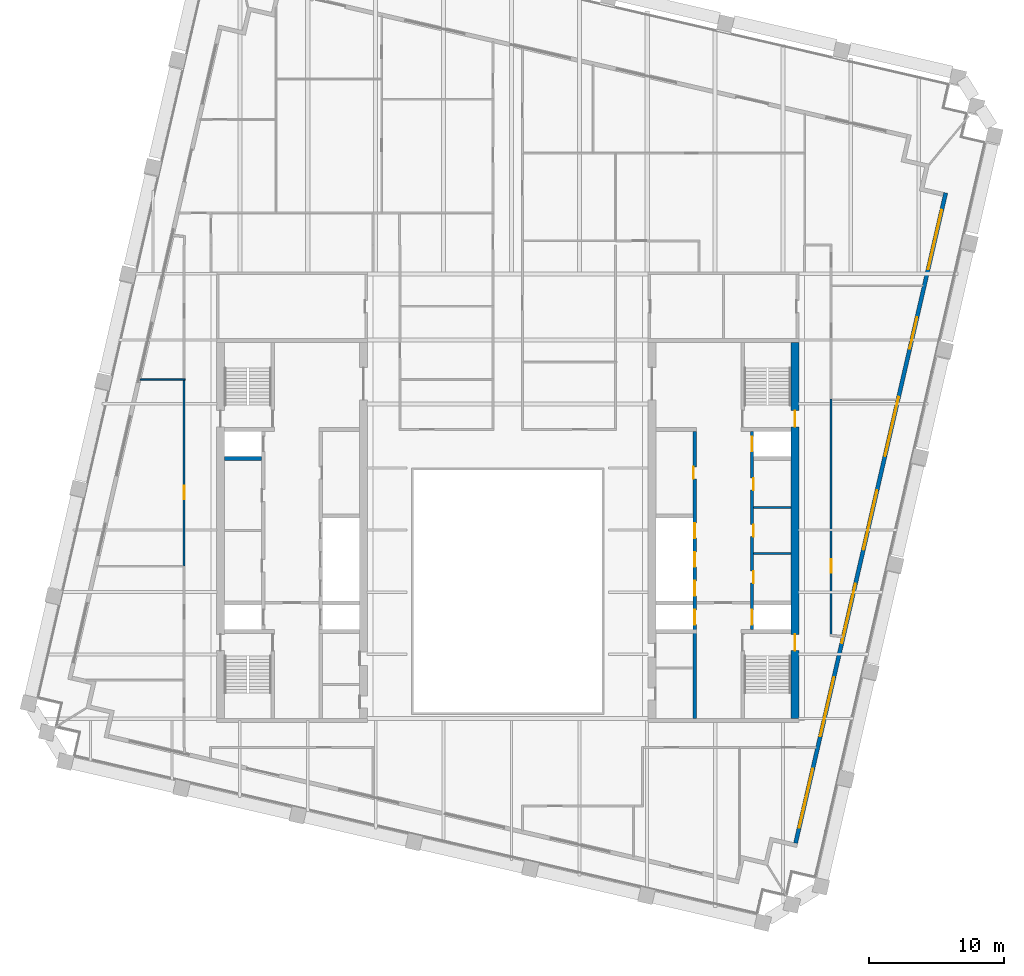
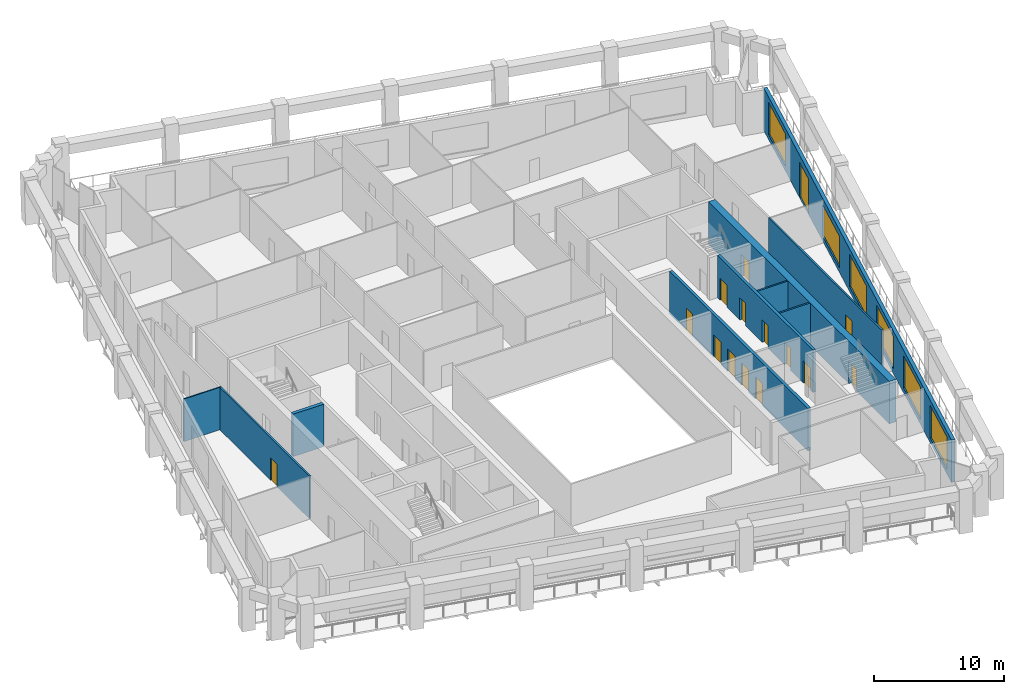
# One storey, part 6 of 10: 15 doors, 10 walls, 6 windows, 21 openings.
"""IFC4 building model written with IfcOpenShell, lengths in metres."""

from ifc_helpers import new_model, si_unit, direction, frame, frame_2d, origin, place, context, subcontext, project, spatial, rectangle, extrude, material, layer, layer_set, type_object, element, fill, save


model = new_model("IFC4")

# Units and contexts
model_context = context("Model", 3, precision=1e-05, world=origin(), true_north=direction((0.0, 1.0)))
body_context = subcontext(model_context, "Body", "Model", "MODEL_VIEW")
ifc_project = project(units=[si_unit("LENGTHUNIT", "METRE"), si_unit("AREAUNIT", "SQUARE_METRE"), si_unit("VOLUMEUNIT", "CUBIC_METRE"), si_unit("PLANEANGLEUNIT", "RADIAN"), si_unit("MASSUNIT", "GRAM", prefix="KILO")], contexts=[model_context])

# Site, building, storey
site_placement = place(None, origin())
site = spatial("IfcSite", under=ifc_project, at=site_placement, CompositionType="ELEMENT")
building_placement = place(site_placement, origin())
building = spatial("IfcBuilding", under=site, at=building_placement, Name="Ogive Exchange Tower", CompositionType="ELEMENT")
storey_placement = place(building_placement, frame((0.0, 0.0, 264.0)))
storey = spatial("IfcBuildingStorey", under=building, at=storey_placement, Name="L57", CompositionType="ELEMENT", Elevation=264.0)

# Walls
ifc_material_1 = material(Name="Gypsum board partition")
ifc_layer_1 = layer(ifc_material_1, 0.14990234375)
ifc_layer_set_1 = layer_set([ifc_layer_1], Name="Core room partition 150 gypsum")
wall_type_1 = type_object("IfcWallType", Name="Core room partition 150 gypsum", PredefinedType="PARTITIONING", material=ifc_layer_set_1)
for number, where, z_axis, x_axis, name in (
    (1, (18.25, 9.800048828125, 0.0), (0.0, 0.0, 1.0), (1.0, 0.0, 0.0), "E row A bay partition 1-1"),
    (2, (18.25, 13.199951171875, 0.0), (0.0, 0.0, 1.0), (1.0, 0.0, 0.0), "E row A bay partition 1-2"),
):
    element("IfcWall", number, at=place(storey_placement, frame(where, z_axis=z_axis, x_axis=x_axis)), inside=storey, type_object=wall_type_1, Name=name, PredefinedType="PARTITIONING", context=body_context, shape_type="SweptSolid", body=[
        extrude(rectangle(XDim=2.75, YDim=0.14990234375, at=frame_2d((1.375, 0.0))), origin(), (0.0, 0.0, 1.0), 4.0),
    ])

# Wall, opening, door
ifc_material_2 = material(Name="Fire partition EI 60 150")
ifc_layer_2 = layer(ifc_material_2, 0.14990234375)
ifc_layer_set_2 = layer_set([ifc_layer_2], Name="Fire partition EI 60 150")
wall_type_2 = type_object("IfcWallType", Name="Fire partition EI 60 150", PredefinedType="PARTITIONING", material=ifc_layer_set_2)
wall_1_placement = place(storey_placement, frame((-24.0, 8.860107421875, 0.0), z_axis=(0.0, 0.0, 1.0), x_axis=(0.0, 1.0, 0.0)))
wall_1 = element("IfcWall", 3, at=wall_1_placement, inside=storey, type_object=wall_type_2, Name="L57-PWL-007", PredefinedType="PARTITIONING", context=body_context, shape_type="SweptSolid", body=[
    extrude(rectangle(XDim=13.809814453125, YDim=0.14990234375, at=frame_2d((6.90478515625, 0.0))), origin(), (0.0, 0.0, 1.0), 4.0),
])
opening_1_placement = place(wall_1_placement, frame((4.9599609375, 0.0, 0.0)))
opening_1 = element("IfcOpeningElement", 4, at=opening_1_placement, cuts=wall_1, Name="Opening L57-I01", PredefinedType="OPENING", context=body_context, shape_type="SweptSolid", body=[
    extrude(rectangle(XDim=1.0, YDim=2.10009765625, at=frame_2d((0.5, 1.050048828125))), frame((0.0, 0.0849609375, 0.0), z_axis=(0.0, -1.0, 0.0), x_axis=(1.0, 0.0, 0.0)), (0.0, 0.0, 1.0), 0.169921875),
])
ifc_material_3 = material(Name="Fire door FD 30S 1000 x 2100")
door_type_1 = type_object("IfcDoorType", Name="Fire door FD 30S 1000 x 2100", OperationType="NOTDEFINED", PredefinedType="DOOR", material=ifc_material_3)
door_1_placement = place(opening_1_placement, origin())
door_1 = element("IfcDoor", 5, at=door_1_placement, inside=storey, type_object=door_type_1, Name="L57-IDR-001", ObjectType="DT3", OperationType="SINGLE_SWING_RIGHT", OverallHeight=2.10009765625, OverallWidth=1.0, PredefinedType="DOOR", context=body_context, shape_type="SweptSolid", body=[
    extrude(rectangle(XDim=1.0, YDim=2.10009765625, at=frame_2d((0.5, 1.050048828125))), frame((0.0, 0.02490234375, 0.0), z_axis=(0.0, -1.0, 0.0), x_axis=(1.0, 0.0, 0.0)), (0.0, 0.0, 1.0), 0.050048828125),
])
fill(opening_1, door_1)

wall_2_placement = place(storey_placement, frame((24.0, 21.260009765625, 0.0), z_axis=(0.0, 0.0, 1.0), x_axis=(0.0, -1.0, 0.0)))
wall_2 = element("IfcWall", 6, at=wall_2_placement, inside=storey, type_object=wall_type_2, Name="L57-PWL-074", PredefinedType="PARTITIONING", context=body_context, shape_type="SweptSolid", body=[
    extrude(rectangle(XDim=17.455078125, YDim=0.14990234375, at=frame_2d((8.7275390625, 0.0))), origin(), (0.0, 0.0, 1.0), 4.0),
])
opening_2_placement = place(wall_2_placement, frame((11.8798828125, 0.0, 0.0)))
opening_2 = element("IfcOpeningElement", 7, at=opening_2_placement, cuts=wall_2, Name="Opening L57-I22", PredefinedType="OPENING", context=body_context, shape_type="SweptSolid", body=[
    extrude(rectangle(XDim=1.0, YDim=2.10009765625, at=frame_2d((0.5, 1.050048828125))), frame((0.0, 0.0849609375, 0.0), z_axis=(0.0, -1.0, 0.0), x_axis=(1.0, 0.0, 0.0)), (0.0, 0.0, 1.0), 0.169921875),
])
door_2_placement = place(opening_2_placement, origin())
door_2 = element("IfcDoor", 8, at=door_2_placement, inside=storey, type_object=door_type_1, Name="L57-IDR-022", ObjectType="DT3", OperationType="SINGLE_SWING_RIGHT", OverallHeight=2.10009765625, OverallWidth=1.0, PredefinedType="DOOR", context=body_context, shape_type="SweptSolid", body=[
    extrude(rectangle(XDim=1.0, YDim=2.10009765625, at=frame_2d((0.5, 1.050048828125))), frame((0.0, 0.02490234375, 0.0), z_axis=(0.0, -1.0, 0.0), x_axis=(1.0, 0.0, 0.0)), (0.0, 0.0, 1.0), 0.050048828125),
])
fill(opening_2, door_2)

# Wall, openings, door, windows
ifc_material_4 = material(Name="Precast concrete C40/50", Category="concrete")
ifc_layer_3 = layer(ifc_material_4, 0.300048828125)
ifc_layer_set_3 = layer_set([ifc_layer_3], Name="Limestone-faced wall 300")
wall_type_3 = type_object("IfcWallType", Name="Limestone-faced wall 300", PredefinedType="STANDARD", material=ifc_layer_set_3)
wall_3_placement = place(storey_placement, frame((21.35888671875, -11.67822265625, 0.0), z_axis=(0.0, 0.0, 1.0), x_axis=(0.224949198343, 0.974370493275, 0.0)))
wall_3 = element("IfcWall", 9, at=wall_3_placement, inside=storey, type_object=wall_type_3, Name="External wall E2", PredefinedType="STANDARD", context=body_context, shape_type="SweptSolid", body=[
    extrude(rectangle(XDim=49.5, YDim=0.300048828125, at=frame_2d((24.75, 0.0))), origin(), (0.0, 0.0, 1.0), 4.0),
])
opening_3_placement = place(wall_3_placement, frame((1.156982421875, 0.0, 0.449951171875)))
opening_3 = element("IfcOpeningElement", 10, at=opening_3_placement, cuts=wall_3, Name="Opening W1", PredefinedType="OPENING", context=body_context, shape_type="SweptSolid", body=[
    extrude(rectangle(XDim=4.5, YDim=3.050048828125, at=frame_2d((2.25, 1.52490234375))), frame((0.0, 0.159912109375, 0.0), z_axis=(0.0, -1.0, 0.0), x_axis=(1.0, 0.0, 0.0)), (0.0, 0.0, 1.0), 0.320068359375),
])
opening_4_placement = place(wall_3_placement, frame((8.121337890625, 0.0, 0.449951171875)))
opening_4 = element("IfcOpeningElement", 11, at=opening_4_placement, cuts=wall_3, Name="Opening W1", PredefinedType="OPENING", context=body_context, shape_type="SweptSolid", body=[
    extrude(rectangle(XDim=4.5, YDim=3.050048828125, at=frame_2d((2.25, 1.52490234375))), frame((0.0, 0.159912109375, 0.0), z_axis=(0.0, -1.0, 0.0), x_axis=(1.0, 0.0, 0.0)), (0.0, 0.0, 1.0), 0.320068359375),
])
opening_5_placement = place(wall_3_placement, frame((15.235595703125, 0.0, 0.449951171875)))
opening_5 = element("IfcOpeningElement", 12, at=opening_5_placement, cuts=wall_3, Name="Opening W1", PredefinedType="OPENING", context=body_context, shape_type="SweptSolid", body=[
    extrude(rectangle(XDim=4.5, YDim=3.050048828125, at=frame_2d((2.25, 1.52490234375))), frame((0.0, 0.159912109375, 0.0), z_axis=(0.0, -1.0, 0.0), x_axis=(1.0, 0.0, 0.0)), (0.0, 0.0, 1.0), 0.320068359375),
])
opening_6_placement = place(wall_3_placement, frame((22.35009765625, 0.0, 0.449951171875)))
opening_6 = element("IfcOpeningElement", 13, at=opening_6_placement, cuts=wall_3, Name="Opening W1", PredefinedType="OPENING", context=body_context, shape_type="SweptSolid", body=[
    extrude(rectangle(XDim=4.5, YDim=3.050048828125, at=frame_2d((2.25, 1.52490234375))), frame((0.0, 0.159912109375, 0.0), z_axis=(0.0, -1.0, 0.0), x_axis=(1.0, 0.0, 0.0)), (0.0, 0.0, 1.0), 0.320068359375),
])
opening_7_placement = place(wall_3_placement, frame((29.464111328125, 0.0, 0.449951171875)))
opening_7 = element("IfcOpeningElement", 14, at=opening_7_placement, cuts=wall_3, Name="Opening W1B", PredefinedType="OPENING", context=body_context, shape_type="SweptSolid", body=[
    extrude(rectangle(XDim=4.5, YDim=2.949951171875, at=frame_2d((2.25, 1.47509765625))), frame((0.0, 0.159912109375, 0.0), z_axis=(0.0, -1.0, 0.0), x_axis=(1.0, 0.0, 0.0)), (0.0, 0.0, 1.0), 0.320068359375),
])
opening_8_placement = place(wall_3_placement, frame((37.62841796875, 0.0, 0.0)))
opening_8 = element("IfcOpeningElement", 15, at=opening_8_placement, cuts=wall_3, Name="Opening D1C", PredefinedType="OPENING", context=body_context, shape_type="SweptSolid", body=[
    extrude(rectangle(XDim=2.39990234375, YDim=3.324951171875, at=frame_2d((1.199951171875, 1.66259765625))), frame((0.0, 0.159912109375, 0.0), z_axis=(0.0, -1.0, 0.0), x_axis=(1.0, 0.0, 0.0)), (0.0, 0.0, 1.0), 0.320068359375),
])
opening_9_placement = place(wall_3_placement, frame((43.69287109375, 0.0, 0.449951171875)))
opening_9 = element("IfcOpeningElement", 16, at=opening_9_placement, cuts=wall_3, Name="Opening W1", PredefinedType="OPENING", context=body_context, shape_type="SweptSolid", body=[
    extrude(rectangle(XDim=4.5, YDim=3.050048828125, at=frame_2d((2.25, 1.52490234375))), frame((0.0, 0.159912109375, 0.0), z_axis=(0.0, -1.0, 0.0), x_axis=(1.0, 0.0, 0.0)), (0.0, 0.0, 1.0), 0.320068359375),
])
ifc_material_5 = material(Name="Clear glass in bronze frame", Category="glass")
door_type_2 = type_object("IfcDoorType", Name="Sliding loggia door 2400 x 3325", OperationType="DOUBLE_DOOR_SLIDING", PredefinedType="DOOR", material=ifc_material_5)
door_3_placement = place(opening_8_placement, origin())
door_3 = element("IfcDoor", 17, at=door_3_placement, inside=storey, type_object=door_type_2, Name="Loggia door E05", OperationType="DOUBLE_DOOR_SLIDING", OverallHeight=3.324951171875, OverallWidth=2.39990234375, PredefinedType="DOOR", context=body_context, shape_type="SweptSolid", body=[
    extrude(rectangle(XDim=2.39990234375, YDim=3.324951171875, at=frame_2d((1.199951171875, 1.66259765625))), frame((0.0, 0.02490234375, 0.0), z_axis=(0.0, -1.0, 0.0), x_axis=(1.0, 0.0, 0.0)), (0.0, 0.0, 1.0), 0.050048828125),
])
fill(opening_8, door_3)
window_type_1 = type_object("IfcWindowType", Name="Twin lancet window 4500 x 2950", PartitioningType="DOUBLE_PANEL_VERTICAL", PredefinedType="WINDOW", material=ifc_material_5)
window_1_placement = place(opening_7_placement, origin())
window_1 = element("IfcWindow", 18, at=window_1_placement, inside=storey, type_object=window_type_1, Name="Window E04", OverallHeight=2.949951171875, OverallWidth=4.5, PartitioningType="DOUBLE_PANEL_VERTICAL", PredefinedType="WINDOW", context=body_context, shape_type="SweptSolid", body=[
    extrude(rectangle(XDim=4.5, YDim=2.949951171875, at=frame_2d((2.25, 1.47509765625))), frame((0.0, 0.030029296875, 0.0), z_axis=(0.0, -1.0, 0.0), x_axis=(1.0, 0.0, 0.0)), (0.0, 0.0, 1.0), 0.06005859375),
])
fill(opening_7, window_1)
window_type_2 = type_object("IfcWindowType", Name="Twin lancet window 4500 x 3050", PartitioningType="DOUBLE_PANEL_VERTICAL", PredefinedType="WINDOW", material=ifc_material_5)
window_2_placement = place(opening_3_placement, origin())
window_2 = element("IfcWindow", 19, at=window_2_placement, inside=storey, type_object=window_type_2, Name="Window E00", OverallHeight=3.050048828125, OverallWidth=4.5, PartitioningType="DOUBLE_PANEL_VERTICAL", PredefinedType="WINDOW", context=body_context, shape_type="SweptSolid", body=[
    extrude(rectangle(XDim=4.5, YDim=3.050048828125, at=frame_2d((2.25, 1.52490234375))), frame((0.0, 0.030029296875, 0.0), z_axis=(0.0, -1.0, 0.0), x_axis=(1.0, 0.0, 0.0)), (0.0, 0.0, 1.0), 0.06005859375),
])
fill(opening_3, window_2)
window_3_placement = place(opening_4_placement, origin())
window_3 = element("IfcWindow", 20, at=window_3_placement, inside=storey, type_object=window_type_2, Name="Window E01", OverallHeight=3.050048828125, OverallWidth=4.5, PartitioningType="DOUBLE_PANEL_VERTICAL", PredefinedType="WINDOW", context=body_context, shape_type="SweptSolid", body=[
    extrude(rectangle(XDim=4.5, YDim=3.050048828125, at=frame_2d((2.25, 1.52490234375))), frame((0.0, 0.030029296875, 0.0), z_axis=(0.0, -1.0, 0.0), x_axis=(1.0, 0.0, 0.0)), (0.0, 0.0, 1.0), 0.06005859375),
])
fill(opening_4, window_3)
window_4_placement = place(opening_5_placement, origin())
window_4 = element("IfcWindow", 21, at=window_4_placement, inside=storey, type_object=window_type_2, Name="Window E02", OverallHeight=3.050048828125, OverallWidth=4.5, PartitioningType="DOUBLE_PANEL_VERTICAL", PredefinedType="WINDOW", context=body_context, shape_type="SweptSolid", body=[
    extrude(rectangle(XDim=4.5, YDim=3.050048828125, at=frame_2d((2.25, 1.52490234375))), frame((0.0, 0.030029296875, 0.0), z_axis=(0.0, -1.0, 0.0), x_axis=(1.0, 0.0, 0.0)), (0.0, 0.0, 1.0), 0.06005859375),
])
fill(opening_5, window_4)
window_5_placement = place(opening_6_placement, origin())
window_5 = element("IfcWindow", 22, at=window_5_placement, inside=storey, type_object=window_type_2, Name="Window E03", OverallHeight=3.050048828125, OverallWidth=4.5, PartitioningType="DOUBLE_PANEL_VERTICAL", PredefinedType="WINDOW", context=body_context, shape_type="SweptSolid", body=[
    extrude(rectangle(XDim=4.5, YDim=3.050048828125, at=frame_2d((2.25, 1.52490234375))), frame((0.0, 0.030029296875, 0.0), z_axis=(0.0, -1.0, 0.0), x_axis=(1.0, 0.0, 0.0)), (0.0, 0.0, 1.0), 0.06005859375),
])
fill(opening_6, window_5)
window_6_placement = place(opening_9_placement, origin())
window_6 = element("IfcWindow", 23, at=window_6_placement, inside=storey, type_object=window_type_2, Name="Window E06", OverallHeight=3.050048828125, OverallWidth=4.5, PartitioningType="DOUBLE_PANEL_VERTICAL", PredefinedType="WINDOW", context=body_context, shape_type="SweptSolid", body=[
    extrude(rectangle(XDim=4.5, YDim=3.050048828125, at=frame_2d((2.25, 1.52490234375))), frame((0.0, 0.030029296875, 0.0), z_axis=(0.0, -1.0, 0.0), x_axis=(1.0, 0.0, 0.0)), (0.0, 0.0, 1.0), 0.06005859375),
])
fill(opening_9, window_6)

# Wall
ifc_material_6 = material(Name="Partition 100 gypsum")
ifc_layer_4 = layer(ifc_material_6, 0.10009765625)
ifc_layer_set_4 = layer_set([ifc_layer_4], Name="Partition 100 gypsum")
wall_type_4 = type_object("IfcWallType", Name="Partition 100 gypsum", PredefinedType="PARTITIONING", material=ifc_layer_set_4)
wall_4_placement = place(storey_placement, frame((-27.280029296875, 22.719970703125, 0.0), z_axis=(0.0, 0.0, 1.0), x_axis=(1.0, 0.0, 0.0)))
element("IfcWall", 24, at=wall_4_placement, inside=storey, type_object=wall_type_4, Name="L57-PWL-001", PredefinedType="PARTITIONING", context=body_context, shape_type="SweptSolid", body=[
    extrude(rectangle(XDim=3.35498046875, YDim=0.10009765625, at=frame_2d((1.677490234375, 0.0))), origin(), (0.0, 0.0, 1.0), 4.0),
])

# Wall, openings, doors
ifc_material_7 = material(Name="Concrete C70/85", Category="concrete")
ifc_layer_5 = layer(ifc_material_7, 0.25)
ifc_layer_set_5 = layer_set([ifc_layer_5], Name="RC core wall 250 C70/85")
wall_type_5 = type_object("IfcWallType", Name="RC core wall 250 C70/85", PredefinedType="SHEAR", material=ifc_layer_set_5)
wall_5_placement = place(storey_placement, frame((18.125, 4.14990234375, 0.0), z_axis=(0.0, 0.0, 1.0), x_axis=(0.0, 1.0, 0.0)))
wall_5 = element("IfcWall", 25, at=wall_5_placement, inside=storey, type_object=wall_type_5, Name="E row A front wall", PredefinedType="SHEAR", context=body_context, shape_type="SweptSolid", body=[
    extrude(rectangle(XDim=14.7001953125, YDim=0.25, at=frame_2d((7.35009765625, 0.0))), origin(), (0.0, 0.0, 1.0), 4.0),
])
opening_10_placement = place(wall_5_placement, frame((3.4462890625, 0.0, 0.0)))
opening_10 = element("IfcOpeningElement", 26, at=opening_10_placement, cuts=wall_5, Name="Opening L57-C19", PredefinedType="OPENING", context=body_context, shape_type="SweptSolid", body=[
    extrude(rectangle(XDim=0.89990234375, YDim=2.10009765625, at=frame_2d((0.449951171875, 1.050048828125))), frame((0.0, 0.135009765625, 0.0), z_axis=(0.0, -1.0, 0.0), x_axis=(1.0, 0.0, 0.0)), (0.0, 0.0, 1.0), 0.27001953125),
])
opening_11_placement = place(wall_5_placement, frame((6.89990234375, 0.0, 0.0)))
opening_11 = element("IfcOpeningElement", 27, at=opening_11_placement, cuts=wall_5, Name="Opening L57-C20", PredefinedType="OPENING", context=body_context, shape_type="SweptSolid", body=[
    extrude(rectangle(XDim=0.89990234375, YDim=2.10009765625, at=frame_2d((0.449951171875, 1.050048828125))), frame((0.0, 0.135009765625, 0.0), z_axis=(0.0, -1.0, 0.0), x_axis=(1.0, 0.0, 0.0)), (0.0, 0.0, 1.0), 0.27001953125),
])
opening_12_placement = place(wall_5_placement, frame((10.353515625, 0.0, 0.0)))
opening_12 = element("IfcOpeningElement", 28, at=opening_12_placement, cuts=wall_5, Name="Opening L57-C21", PredefinedType="OPENING", context=body_context, shape_type="SweptSolid", body=[
    extrude(rectangle(XDim=0.89990234375, YDim=2.10009765625, at=frame_2d((0.449951171875, 1.050048828125))), frame((0.0, 0.135009765625, 0.0), z_axis=(0.0, -1.0, 0.0), x_axis=(1.0, 0.0, 0.0)), (0.0, 0.0, 1.0), 0.27001953125),
])
opening_13_placement = place(wall_5_placement, frame((0.371337890625, 0.0, 0.0)))
opening_13 = element("IfcOpeningElement", 29, at=opening_13_placement, cuts=wall_5, Name="Opening L57-C22", PredefinedType="OPENING", context=body_context, shape_type="SweptSolid", body=[
    extrude(rectangle(XDim=1.10009765625, YDim=2.10009765625, at=frame_2d((0.550048828125, 1.050048828125))), frame((0.0, 0.135009765625, 0.0), z_axis=(0.0, -1.0, 0.0), x_axis=(1.0, 0.0, 0.0)), (0.0, 0.0, 1.0), 0.27001953125),
])
opening_14_placement = place(wall_5_placement, frame((13.228515625, 0.0, 0.0)))
opening_14 = element("IfcOpeningElement", 30, at=opening_14_placement, cuts=wall_5, Name="Opening L57-C23", PredefinedType="OPENING", context=body_context, shape_type="SweptSolid", body=[
    extrude(rectangle(XDim=1.10009765625, YDim=2.10009765625, at=frame_2d((0.550048828125, 1.050048828125))), frame((0.0, 0.135009765625, 0.0), z_axis=(0.0, -1.0, 0.0), x_axis=(1.0, 0.0, 0.0)), (0.0, 0.0, 1.0), 0.27001953125),
])
ifc_material_8 = material(Name="Timber fire door", Category="wood")
door_type_3 = type_object("IfcDoorType", Name="Core room door FD30S 900 x 2100", OperationType="NOTDEFINED", PredefinedType="DOOR", material=ifc_material_8)
door_4_placement = place(opening_11_placement, frame((0.89990234375, -0.2001953125, 0.0), z_axis=(0.0, 0.0, 1.0), x_axis=(-1.0, 0.0, 0.0)))
door_4 = element("IfcDoor", 31, at=door_4_placement, inside=storey, type_object=door_type_3, Name="Core room door", ObjectType="CD6", OperationType="SINGLE_SWING_LEFT", OverallHeight=2.10009765625, OverallWidth=0.89990234375, PredefinedType="DOOR", context=body_context, shape_type="SweptSolid", body=[
    extrude(rectangle(XDim=0.89990234375, YDim=2.10009765625, at=frame_2d((0.449951171875, 1.050048828125))), frame((0.0, -0.0751953125, 0.0), z_axis=(0.0, -1.0, 0.0), x_axis=(1.0, 0.0, 0.0)), (0.0, 0.0, 1.0), 0.050048828125),
])
fill(opening_11, door_4)
ifc_material_9 = material(Name="Stainless steel", Category="steel")
door_type_4 = type_object("IfcDoorType", Name="Lift landing door FD90 1100 x 2100", OperationType="SLIDING_TO_LEFT", PredefinedType="DOOR", material=ifc_material_9)
door_5_placement = place(opening_13_placement, origin())
door_5 = element("IfcDoor", 32, at=door_5_placement, inside=storey, type_object=door_type_4, Name="Lift landing door FF2", ObjectType="LD", OperationType="SLIDING_TO_LEFT", OverallHeight=2.10009765625, OverallWidth=1.10009765625, PredefinedType="DOOR", context=body_context, shape_type="SweptSolid", body=[
    extrude(rectangle(XDim=1.10009765625, YDim=2.10009765625, at=frame_2d((0.550048828125, 1.050048828125))), frame((0.0, 0.02490234375, 0.0), z_axis=(0.0, -1.0, 0.0), x_axis=(1.0, 0.0, 0.0)), (0.0, 0.0, 1.0), 0.050048828125),
])
fill(opening_13, door_5)
door_6_placement = place(opening_14_placement, origin())
door_6 = element("IfcDoor", 33, at=door_6_placement, inside=storey, type_object=door_type_4, Name="Lift landing door E-SH2", ObjectType="LD", OperationType="SLIDING_TO_LEFT", OverallHeight=2.10009765625, OverallWidth=1.10009765625, PredefinedType="DOOR", context=body_context, shape_type="SweptSolid", body=[
    extrude(rectangle(XDim=1.10009765625, YDim=2.10009765625, at=frame_2d((0.550048828125, 1.050048828125))), frame((0.0, 0.02490234375, 0.0), z_axis=(0.0, -1.0, 0.0), x_axis=(1.0, 0.0, 0.0)), (0.0, 0.0, 1.0), 0.050048828125),
])
fill(opening_14, door_6)
ifc_material_10 = material(Name="Steel fire door", Category="steel")
door_type_5 = type_object("IfcDoorType", Name="Riser door FD60 900 x 2100", OperationType="NOTDEFINED", PredefinedType="DOOR", material=ifc_material_10)
door_7_placement = place(opening_10_placement, frame((0.89990234375, -0.2001953125, 0.0), z_axis=(0.0, 0.0, 1.0), x_axis=(-1.0, 0.0, 0.0)))
door_7 = element("IfcDoor", 34, at=door_7_placement, inside=storey, type_object=door_type_5, Name="Riser door", ObjectType="CD2", OperationType="SINGLE_SWING_RIGHT", OverallHeight=2.10009765625, OverallWidth=0.89990234375, PredefinedType="DOOR", context=body_context, shape_type="SweptSolid", body=[
    extrude(rectangle(XDim=0.89990234375, YDim=2.10009765625, at=frame_2d((0.449951171875, 1.050048828125))), frame((0.0, -0.0751953125, 0.0), z_axis=(0.0, -1.0, 0.0), x_axis=(1.0, 0.0, 0.0)), (0.0, 0.0, 1.0), 0.050048828125),
])
fill(opening_10, door_7)
door_8_placement = place(opening_12_placement, frame((0.89990234375, -0.2001953125, 0.0), z_axis=(0.0, 0.0, 1.0), x_axis=(-1.0, 0.0, 0.0)))
door_8 = element("IfcDoor", 35, at=door_8_placement, inside=storey, type_object=door_type_5, Name="Riser door", ObjectType="CD2", OperationType="SINGLE_SWING_LEFT", OverallHeight=2.10009765625, OverallWidth=0.89990234375, PredefinedType="DOOR", context=body_context, shape_type="SweptSolid", body=[
    extrude(rectangle(XDim=0.89990234375, YDim=2.10009765625, at=frame_2d((0.449951171875, 1.050048828125))), frame((0.0, -0.0751953125, 0.0), z_axis=(0.0, -1.0, 0.0), x_axis=(1.0, 0.0, 0.0)), (0.0, 0.0, 1.0), 0.050048828125),
])
fill(opening_12, door_8)

wall_6_placement = place(storey_placement, frame((13.875, -2.449951171875, 0.0), z_axis=(0.0, 0.0, 1.0), x_axis=(0.0, 1.0, 0.0)))
wall_6 = element("IfcWall", 36, at=wall_6_placement, inside=storey, type_object=wall_type_5, Name="E row B front wall", PredefinedType="SHEAR", context=body_context, shape_type="SweptSolid", body=[
    extrude(rectangle(XDim=21.300048828125, YDim=0.25, at=frame_2d((10.64990234375, 0.0))), origin(), (0.0, 0.0, 1.0), 4.0),
])
opening_15_placement = place(wall_6_placement, frame((17.78564453125, 0.0, 0.0)))
opening_15 = element("IfcOpeningElement", 37, at=opening_15_placement, cuts=wall_6, Name="Opening L57-C24", PredefinedType="OPENING", context=body_context, shape_type="SweptSolid", body=[
    extrude(rectangle(XDim=0.89990234375, YDim=2.10009765625, at=frame_2d((0.449951171875, 1.050048828125))), frame((0.0, 0.135009765625, 0.0), z_axis=(0.0, -1.0, 0.0), x_axis=(1.0, 0.0, 0.0)), (0.0, 0.0, 1.0), 0.27001953125),
])
opening_16_placement = place(wall_6_placement, frame((6.971435546875, 0.0, 0.0)))
opening_16 = element("IfcOpeningElement", 38, at=opening_16_placement, cuts=wall_6, Name="Opening L57-C25", PredefinedType="OPENING", context=body_context, shape_type="SweptSolid", body=[
    extrude(rectangle(XDim=1.10009765625, YDim=2.10009765625, at=frame_2d((0.550048828125, 1.050048828125))), frame((0.0, 0.135009765625, 0.0), z_axis=(0.0, -1.0, 0.0), x_axis=(1.0, 0.0, 0.0)), (0.0, 0.0, 1.0), 0.27001953125),
])
opening_17_placement = place(wall_6_placement, frame((9.1142578125, 0.0, 0.0)))
opening_17 = element("IfcOpeningElement", 39, at=opening_17_placement, cuts=wall_6, Name="Opening L57-C26", PredefinedType="OPENING", context=body_context, shape_type="SweptSolid", body=[
    extrude(rectangle(XDim=1.10009765625, YDim=2.10009765625, at=frame_2d((0.550048828125, 1.050048828125))), frame((0.0, 0.135009765625, 0.0), z_axis=(0.0, -1.0, 0.0), x_axis=(1.0, 0.0, 0.0)), (0.0, 0.0, 1.0), 0.27001953125),
])
opening_18_placement = place(wall_6_placement, frame((11.257080078125, 0.0, 0.0)))
opening_18 = element("IfcOpeningElement", 40, at=opening_18_placement, cuts=wall_6, Name="Opening L57-C27", PredefinedType="OPENING", context=body_context, shape_type="SweptSolid", body=[
    extrude(rectangle(XDim=1.10009765625, YDim=2.10009765625, at=frame_2d((0.550048828125, 1.050048828125))), frame((0.0, 0.135009765625, 0.0), z_axis=(0.0, -1.0, 0.0), x_axis=(1.0, 0.0, 0.0)), (0.0, 0.0, 1.0), 0.27001953125),
])
opening_19_placement = place(wall_6_placement, frame((13.39990234375, 0.0, 0.0)))
opening_19 = element("IfcOpeningElement", 41, at=opening_19_placement, cuts=wall_6, Name="Opening L57-C28", PredefinedType="OPENING", context=body_context, shape_type="SweptSolid", body=[
    extrude(rectangle(XDim=1.10009765625, YDim=2.10009765625, at=frame_2d((0.550048828125, 1.050048828125))), frame((0.0, 0.135009765625, 0.0), z_axis=(0.0, -1.0, 0.0), x_axis=(1.0, 0.0, 0.0)), (0.0, 0.0, 1.0), 0.27001953125),
])
door_9_placement = place(opening_15_placement, origin())
door_9 = element("IfcDoor", 42, at=door_9_placement, inside=storey, type_object=door_type_3, Name="Core room door", ObjectType="CD6", OperationType="SINGLE_SWING_LEFT", OverallHeight=2.10009765625, OverallWidth=0.89990234375, PredefinedType="DOOR", context=body_context, shape_type="SweptSolid", body=[
    extrude(rectangle(XDim=0.89990234375, YDim=2.10009765625, at=frame_2d((0.449951171875, 1.050048828125))), frame((0.0, 0.125, 0.0), z_axis=(0.0, -1.0, 0.0), x_axis=(1.0, 0.0, 0.0)), (0.0, 0.0, 1.0), 0.050048828125),
])
fill(opening_15, door_9)
door_10_placement = place(opening_16_placement, origin())
door_10 = element("IfcDoor", 43, at=door_10_placement, inside=storey, type_object=door_type_4, Name="Lift landing door SV2", ObjectType="LD", OperationType="SLIDING_TO_LEFT", OverallHeight=2.10009765625, OverallWidth=1.10009765625, PredefinedType="DOOR", context=body_context, shape_type="SweptSolid", body=[
    extrude(rectangle(XDim=1.10009765625, YDim=2.10009765625, at=frame_2d((0.550048828125, 1.050048828125))), frame((0.0, 0.02490234375, 0.0), z_axis=(0.0, -1.0, 0.0), x_axis=(1.0, 0.0, 0.0)), (0.0, 0.0, 1.0), 0.050048828125),
])
fill(opening_16, door_10)
door_11_placement = place(opening_17_placement, origin())
door_11 = element("IfcDoor", 44, at=door_11_placement, inside=storey, type_object=door_type_4, Name="Lift landing door E-M1", ObjectType="LD", OperationType="SLIDING_TO_LEFT", OverallHeight=2.10009765625, OverallWidth=1.10009765625, PredefinedType="DOOR", context=body_context, shape_type="SweptSolid", body=[
    extrude(rectangle(XDim=1.10009765625, YDim=2.10009765625, at=frame_2d((0.550048828125, 1.050048828125))), frame((0.0, 0.02490234375, 0.0), z_axis=(0.0, -1.0, 0.0), x_axis=(1.0, 0.0, 0.0)), (0.0, 0.0, 1.0), 0.050048828125),
])
fill(opening_17, door_11)
door_12_placement = place(opening_18_placement, origin())
door_12 = element("IfcDoor", 45, at=door_12_placement, inside=storey, type_object=door_type_4, Name="Lift landing door E-M2", ObjectType="LD", OperationType="SLIDING_TO_LEFT", OverallHeight=2.10009765625, OverallWidth=1.10009765625, PredefinedType="DOOR", context=body_context, shape_type="SweptSolid", body=[
    extrude(rectangle(XDim=1.10009765625, YDim=2.10009765625, at=frame_2d((0.550048828125, 1.050048828125))), frame((0.0, 0.02490234375, 0.0), z_axis=(0.0, -1.0, 0.0), x_axis=(1.0, 0.0, 0.0)), (0.0, 0.0, 1.0), 0.050048828125),
])
fill(opening_18, door_12)
door_13_placement = place(opening_19_placement, origin())
door_13 = element("IfcDoor", 46, at=door_13_placement, inside=storey, type_object=door_type_4, Name="Lift landing door E-M3", ObjectType="LD", OperationType="SLIDING_TO_LEFT", OverallHeight=2.10009765625, OverallWidth=1.10009765625, PredefinedType="DOOR", context=body_context, shape_type="SweptSolid", body=[
    extrude(rectangle(XDim=1.10009765625, YDim=2.10009765625, at=frame_2d((0.550048828125, 1.050048828125))), frame((0.0, 0.02490234375, 0.0), z_axis=(0.0, -1.0, 0.0), x_axis=(1.0, 0.0, 0.0)), (0.0, 0.0, 1.0), 0.050048828125),
])
fill(opening_19, door_13)

# Wall
ifc_layer_6 = layer(ifc_material_7, 0.300048828125)
ifc_layer_set_6 = layer_set([ifc_layer_6], Name="RC core wall 300 C70/85")
wall_type_6 = type_object("IfcWallType", Name="RC core wall 300 C70/85", PredefinedType="SHEAR", material=ifc_layer_set_6)
wall_7_placement = place(storey_placement, frame((-21.0, 16.857177734375, 0.0), z_axis=(0.0, 0.0, 1.0), x_axis=(1.0, 0.0, 0.0)))
element("IfcWall", 47, at=wall_7_placement, inside=storey, type_object=wall_type_6, Name="W row A divider 6", PredefinedType="SHEAR", context=body_context, shape_type="SweptSolid", body=[
    extrude(rectangle(XDim=2.75, YDim=0.300048828125, at=frame_2d((1.375, 0.0))), origin(), (0.0, 0.0, 1.0), 4.0),
])

# Wall, openings, doors
ifc_layer_7 = layer(ifc_material_7, 0.60009765625)
ifc_layer_set_7 = layer_set([ifc_layer_7], Name="RC core wall 600 C70/85")
wall_type_7 = type_object("IfcWallType", Name="RC core wall 600 C70/85", PredefinedType="SHEAR", material=ifc_layer_set_7)
wall_8_placement = place(storey_placement, frame((21.300048828125, -2.449951171875, 0.0), z_axis=(0.0, 0.0, 1.0), x_axis=(0.0, 1.0, 0.0)))
wall_8 = element("IfcWall", 48, at=wall_8_placement, inside=storey, type_object=wall_type_7, Name="E outer wall", PredefinedType="SHEAR", context=body_context, shape_type="SweptSolid", body=[
    extrude(rectangle(XDim=27.89990234375, YDim=0.60009765625, at=frame_2d((13.949951171875, 0.0))), origin(), (0.0, 0.0, 1.0), 4.0),
])
opening_20_placement = place(wall_8_placement, frame((5.050048828125, 0.0, 0.0)))
opening_20 = element("IfcOpeningElement", 49, at=opening_20_placement, cuts=wall_8, Name="Opening L57-C32", PredefinedType="OPENING", context=body_context, shape_type="SweptSolid", body=[
    extrude(rectangle(XDim=1.199951171875, YDim=2.10009765625, at=frame_2d((0.60009765625, 1.050048828125))), frame((0.0, 0.31005859375, 0.0), z_axis=(0.0, -1.0, 0.0), x_axis=(1.0, 0.0, 0.0)), (0.0, 0.0, 1.0), 0.6201171875),
])
opening_21_placement = place(wall_8_placement, frame((21.64990234375, 0.0, 0.0)))
opening_21 = element("IfcOpeningElement", 50, at=opening_21_placement, cuts=wall_8, Name="Opening L57-C34", PredefinedType="OPENING", context=body_context, shape_type="SweptSolid", body=[
    extrude(rectangle(XDim=1.199951171875, YDim=2.10009765625, at=frame_2d((0.60009765625, 1.050048828125))), frame((0.0, 0.31005859375, 0.0), z_axis=(0.0, -1.0, 0.0), x_axis=(1.0, 0.0, 0.0)), (0.0, 0.0, 1.0), 0.6201171875),
])
door_type_6 = type_object("IfcDoorType", Name="Stair door FD90 1200 x 2100", OperationType="NOTDEFINED", PredefinedType="DOOR", material=ifc_material_10)
door_14_placement = place(opening_20_placement, frame((1.199951171875, 0.0, 0.0), z_axis=(0.0, 0.0, 1.0), x_axis=(-1.0, 0.0, 0.0)))
door_14 = element("IfcDoor", 51, at=door_14_placement, inside=storey, type_object=door_type_6, Name="Stair door", ObjectType="CD5", OperationType="SINGLE_SWING_RIGHT", OverallHeight=2.10009765625, OverallWidth=1.199951171875, PredefinedType="DOOR", context=body_context, shape_type="SweptSolid", body=[
    extrude(rectangle(XDim=1.199951171875, YDim=2.10009765625, at=frame_2d((0.60009765625, 1.050048828125))), frame((0.0, 0.02490234375, 0.0), z_axis=(0.0, -1.0, 0.0), x_axis=(1.0, 0.0, 0.0)), (0.0, 0.0, 1.0), 0.050048828125),
])
fill(opening_20, door_14)
door_15_placement = place(opening_21_placement, frame((1.199951171875, 0.0, 0.0), z_axis=(0.0, 0.0, 1.0), x_axis=(-1.0, 0.0, 0.0)))
door_15 = element("IfcDoor", 52, at=door_15_placement, inside=storey, type_object=door_type_6, Name="Stair door", ObjectType="CD5", OperationType="SINGLE_SWING_LEFT", OverallHeight=2.10009765625, OverallWidth=1.199951171875, PredefinedType="DOOR", context=body_context, shape_type="SweptSolid", body=[
    extrude(rectangle(XDim=1.199951171875, YDim=2.10009765625, at=frame_2d((0.60009765625, 1.050048828125))), frame((0.0, 0.02490234375, 0.0), z_axis=(0.0, -1.0, 0.0), x_axis=(1.0, 0.0, 0.0)), (0.0, 0.0, 1.0), 0.050048828125),
])
fill(opening_21, door_15)

save(model, "model.ifc")
